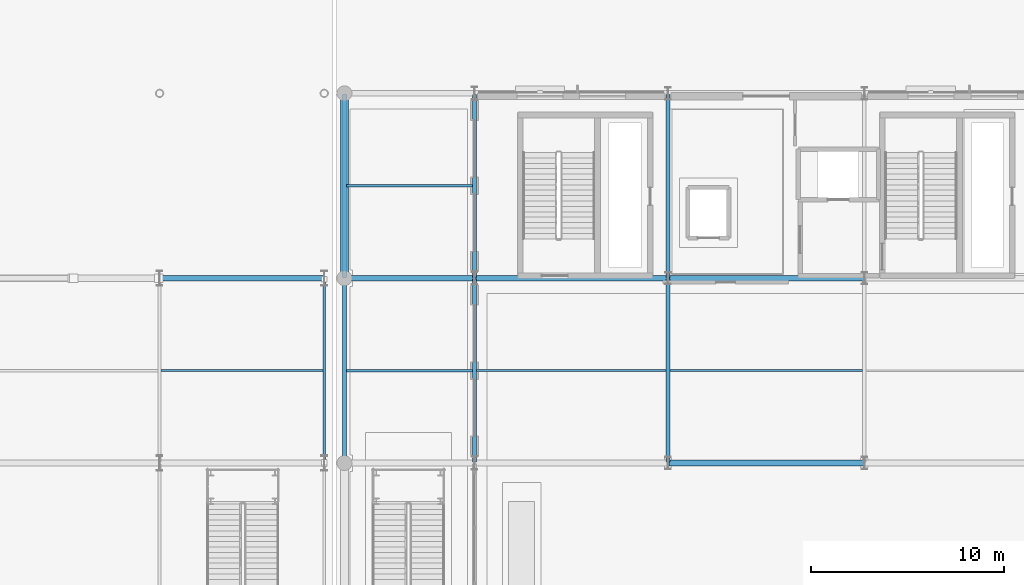
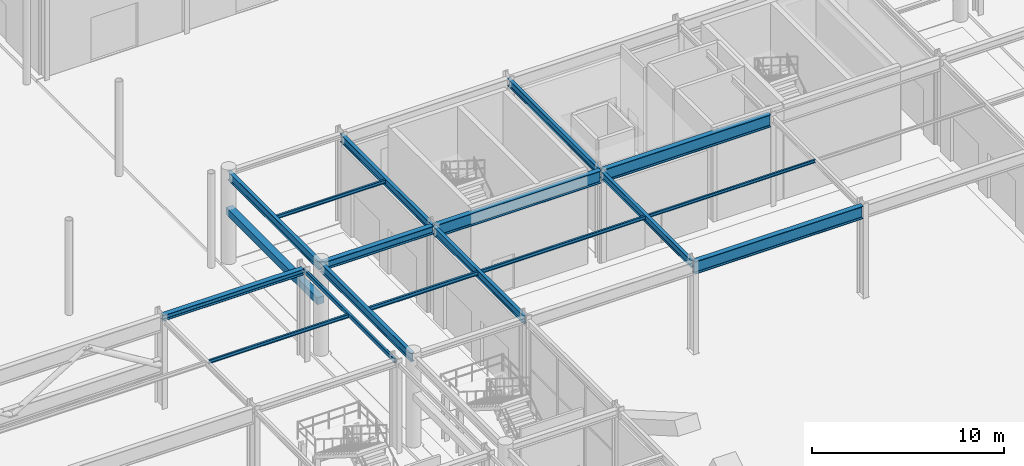
# One storey, part 41 of 113: 18 beams.
"""IFC4 building model written with IfcOpenShell, lengths in metres."""

import ifcopenshell
import ifcopenshell.guid

model = None  # the IFC model being written
_history = None  # IfcOwnerHistory: only IFC2X3 demands one
_inside = {}  # id of a spatial element -> (the spatial element, [elements in it])
_under = {}  # id of a project, library or spatial element -> (it, [spatial elements below it])
_declared = {}  # id of a project -> (the project, [libraries it declares])
_typed = {}  # id of a type object -> (the type object, [elements of that type])
_made_of = {}  # id of a material, layer set ... -> (it, [elements and type objects made of it])


def new_model(schema):
    """Start an empty IFC model of exactly this schema.

    Asked for "IFC4X3", IfcOpenShell would pick the latest addendum, in which some entities
    have other attributes; the version numbers below select the first issue.
    IFC2X3 requires an IfcOwnerHistory on every rooted entity: one is made here for all.
    """
    global model, _history
    if schema == "IFC4X3":
        model = ifcopenshell.file(schema_version=(4, 3, 0, 0))
    else:
        model = ifcopenshell.file(schema=schema)
    _inside.clear()
    _under.clear()
    _declared.clear()
    _typed.clear()
    _made_of.clear()
    _history = None
    if model.schema == "IFC2X3":
        org = make("IfcOrganization", Name="unknown")
        user = make(
            "IfcPersonAndOrganization",
            ThePerson=make("IfcPerson", FamilyName="unknown"),
            TheOrganization=org,
        )
        app = make(
            "IfcApplication",
            ApplicationDeveloper=org,
            Version="unknown",
            ApplicationFullName="unknown",
            ApplicationIdentifier="unknown",
        )
        _history = make(
            "IfcOwnerHistory",
            OwningUser=user,
            OwningApplication=app,
            ChangeAction="ADDED",
            CreationDate=0,
        )
    return model


def make(cls, **values):
    """One entity of the class cls with the attributes given. An attribute that is None is left unset."""
    return model.create_entity(
        cls, **{name: value for name, value in values.items() if value is not None}
    )


def rooted(cls, **values):
    """An entity with a GlobalId (a new one), such as an element, a storey or a relation."""
    return make(cls, GlobalId=ifcopenshell.guid.new(), OwnerHistory=_history, **values)


def si_unit(unit_type, name, prefix=None):
    """IfcSIUnit, for example si_unit("LENGTHUNIT", "METRE", prefix="MILLI")."""
    return make("IfcSIUnit", UnitType=unit_type, Prefix=prefix, Name=name)


def assignment(units):
    """IfcUnitAssignment: the units of a project."""
    return None if units is None else make("IfcUnitAssignment", Units=units)


def point(xyz):
    """IfcCartesianPoint."""
    return None if xyz is None else make("IfcCartesianPoint", Coordinates=xyz)


def direction(xyz):
    """IfcDirection."""
    return None if xyz is None else make("IfcDirection", DirectionRatios=xyz)


def frame(location, z_axis=None, x_axis=None):
    """IfcAxis2Placement3D, a coordinate frame: its origin and axes. An axis left out is left unset."""
    return make(
        "IfcAxis2Placement3D",
        Location=point(location),
        Axis=direction(z_axis),
        RefDirection=direction(x_axis),
    )


def frame_2d(location, x_axis=None):
    """IfcAxis2Placement2D, a coordinate frame in the plane: its origin and x axis."""
    return make(
        "IfcAxis2Placement2D", Location=point(location), RefDirection=direction(x_axis)
    )


def origin():
    """The frame at (0, 0, 0) with its axes left unset."""
    return frame((0.0, 0.0, 0.0))


def origin_2d():
    """The frame at (0, 0) in the plane with its x axis left unset."""
    return frame_2d((0.0, 0.0))


def place(relative_to, where):
    """IfcLocalPlacement: puts the frame where relative to a parent placement (None: the world)."""
    return make(
        "IfcLocalPlacement", PlacementRelTo=relative_to, RelativePlacement=where
    )


def context(
    kind, dimensions, precision=None, world=None, true_north=None, identifier=None
):
    """IfcGeometricRepresentationContext, for example the 3D "Model" context."""
    return make(
        "IfcGeometricRepresentationContext",
        ContextIdentifier=identifier,
        ContextType=kind,
        CoordinateSpaceDimension=dimensions,
        Precision=precision,
        WorldCoordinateSystem=world,
        TrueNorth=true_north,
    )


def subcontext(parent, identifier, kind, view, scale=None):
    """IfcGeometricRepresentationSubContext, for example "Body" below "Model"."""
    return make(
        "IfcGeometricRepresentationSubContext",
        ContextIdentifier=identifier,
        ContextType=kind,
        ParentContext=parent,
        TargetScale=scale,
        TargetView=view,
    )


def project(units=None, contexts=None):
    """IfcProject with its units and contexts."""
    return rooted(
        "IfcProject",
        Name="project",
        RepresentationContexts=contexts,
        UnitsInContext=assignment(units),
    )


def spatial(cls, under=None, at=None, **own):
    """A site, building, storey or space (cls), placed at a placement, below another one or the project."""
    s = rooted(cls, ObjectPlacement=at, **own)
    if under is not None:
        _under.setdefault(under.id(), (under, []))[1].append(s)
    return s


def profile(cls, at=None, kind="AREA", **sizes):
    """A parametric profile (cls). Its sizes go by their IFC names, for example OverallWidth=200.0."""
    return make(cls, ProfileType=kind, Position=at, **sizes)


def rectangle(**sizes):
    """IfcRectangleProfileDef."""
    return profile("IfcRectangleProfileDef", **sizes)


def hollow_rectangle(**sizes):
    """IfcRectangleHollowProfileDef."""
    return profile("IfcRectangleHollowProfileDef", **sizes)


def i_section(**sizes):
    """IfcIShapeProfileDef."""
    return profile("IfcIShapeProfileDef", **sizes)


def extrude(swept, where, along, depth):
    """IfcExtrudedAreaSolid: the profile swept, set in the frame where, extruded along a direction by depth."""
    return make(
        "IfcExtrudedAreaSolid",
        SweptArea=swept,
        Position=where,
        ExtrudedDirection=direction(along),
        Depth=depth,
    )


def shape(context_of_items, identifier, shape_type, items):
    """IfcShapeRepresentation: the items that make up one representation, for example the "Body"."""
    return make(
        "IfcShapeRepresentation",
        ContextOfItems=context_of_items,
        RepresentationIdentifier=identifier,
        RepresentationType=shape_type,
        Items=items,
    )


def material(Name=None, Category=None):
    """IfcMaterial."""
    return make("IfcMaterial", Name=Name, Category=Category)


def material_profile(
    of_material, cross_section, Name=None, Category=None, Priority=None
):
    """IfcMaterialProfile: a cross section and its material."""
    return make(
        "IfcMaterialProfile",
        Name=Name,
        Material=of_material,
        Profile=cross_section,
        Priority=Priority,
        Category=Category,
    )


def profile_set(profiles, Name=None, composite=None):
    """IfcMaterialProfileSet."""
    return make(
        "IfcMaterialProfileSet",
        Name=Name,
        MaterialProfiles=profiles,
        CompositeProfile=composite,
    )


def made_of(thing, what):
    """Note that an element or type object is made of a material, layer set ...; save() writes the relation."""
    if what is not None:
        _made_of.setdefault(what.id(), (what, []))[1].append(thing)
    return thing


def type_object(cls, material=None, **own):
    """A type object (cls), such as IfcWallType, which elements share."""
    return made_of(rooted(cls, **own), material)


def element(
    cls,
    number,
    at=None,
    inside=None,
    cuts=None,
    type_object=None,
    material=None,
    context=None,
    identifier="Body",
    shape_type=None,
    held_by="IfcProductDefinitionShape",
    body=None,
    shapes=None,
    **own,
):
    """One element of the class cls, such as IfcWall. Its Tag is "e" and its number.

    at: its placement. inside: the storey or other place that contains it. cuts: it is an
    opening in that element (IfcRelVoidsElement). A single representation is given by context,
    identifier, shape_type and body (its items); several are given by shapes. held_by: the class
    of the entity that holds the representations. save() writes the other relations.
    """
    e = rooted(cls, Tag="e%d" % number, ObjectPlacement=at, **own)
    if body is not None:
        shapes = [shape(context, identifier, shape_type, body)]
    if shapes is not None:
        e.Representation = make(held_by, Representations=shapes)
    if inside is not None:
        _inside.setdefault(inside.id(), (inside, []))[1].append(e)
    if cuts is not None:
        rooted(
            "IfcRelVoidsElement", RelatingBuildingElement=cuts, RelatedOpeningElement=e
        )
    if type_object is not None:
        _typed.setdefault(type_object.id(), (type_object, []))[1].append(e)
    return made_of(e, material)


def aggregate(whole, parts):
    """IfcRelAggregates: a whole, such as a stair, and the parts it consists of."""
    return rooted("IfcRelAggregates", RelatingObject=whole, RelatedObjects=parts)


def save(model, path):
    """Write the relations noted so far, then the file.

    IfcRelAggregates (storeys below a building ...), IfcRelContainedInSpatialStructure (elements
    in a storey), IfcRelDefinesByType, IfcRelAssociatesMaterial and IfcRelDeclares: one each for
    every whole, place, type object, material and project.
    """
    for whole, parts in _under.values():
        aggregate(whole, parts)
    for where, things in _inside.values():
        rooted(
            "IfcRelContainedInSpatialStructure",
            RelatedElements=things,
            RelatingStructure=where,
        )
    for kind, things in _typed.values():
        rooted("IfcRelDefinesByType", RelatedObjects=things, RelatingType=kind)
    for what, things in _made_of.values():
        rooted("IfcRelAssociatesMaterial", RelatedObjects=things, RelatingMaterial=what)
    for by, libraries in _declared.values():
        rooted("IfcRelDeclares", RelatingContext=by, RelatedDefinitions=libraries)
    model.write(path)


model = new_model("IFC4")

# Units and contexts
model_context = context("Model", 3, precision=1e-05, world=origin(), true_north=direction((0.0, 1.0)))
body_context = subcontext(model_context, "Body", "Model", "MODEL_VIEW")
ifc_project = project(units=[si_unit("LENGTHUNIT", "METRE"), si_unit("AREAUNIT", "SQUARE_METRE"), si_unit("VOLUMEUNIT", "CUBIC_METRE"), si_unit("PLANEANGLEUNIT", "RADIAN"), si_unit("MASSUNIT", "GRAM", prefix="KILO")], contexts=[model_context])

# Site, building, storey
site_placement = place(None, origin())
site = spatial("IfcSite", under=ifc_project, at=site_placement, CompositionType="ELEMENT")
building_placement = place(site_placement, origin())
building = spatial("IfcBuilding", under=site, at=building_placement, Name="Myrtia Square Station", CompositionType="ELEMENT")
storey_placement = place(building_placement, origin())
storey = spatial("IfcBuildingStorey", under=building, at=storey_placement, Name="L00", CompositionType="ELEMENT", Elevation=0.0)

# Beams
ifc_material_1 = material(Name="Steel S355", Category="steel")
ifc_material_profile_1 = material_profile(ifc_material_1, i_section(OverallWidth=0.300048828125, OverallDepth=0.360107421875, WebThickness=0.012451171875, FlangeThickness=0.0224609375, FilletRadius=0.027099609375, at=origin_2d()), Name="HEB 360")
ifc_profile_set_1 = profile_set([ifc_material_profile_1], Name="Steel S355")
beam_type_1 = type_object("IfcBeamType", Name="BM-HEB360", PredefinedType="BEAM", material=ifc_profile_set_1)
beam_1_placement = place(storey_placement, frame((63.050048828125, 86.39990234375, 5.56005859375), z_axis=(1.0, 0.0, 0.0), x_axis=(0.0, 1.0, 0.0)))
element("IfcBeam", 1, at=beam_1_placement, inside=storey, type_object=beam_type_1, Name="Structural girder BMX-L00-0256", PredefinedType="BEAM", context=body_context, shape_type="SweptSolid", body=[
    extrude(i_section(OverallWidth=0.300048828125, OverallDepth=0.360107421875, WebThickness=0.012451171875, FlangeThickness=0.0224609375, FilletRadius=0.027099609375, at=origin_2d()), origin(), (0.0, 0.0, 1.0), 8.449951171875),
])
ifc_material_profile_2 = material_profile(ifc_material_1, i_section(OverallWidth=0.300048828125, OverallDepth=0.5, WebThickness=0.014404296875, FlangeThickness=0.028076171875, FilletRadius=0.027099609375, at=origin_2d()), Name="HEB 500")
ifc_profile_set_2 = profile_set([ifc_material_profile_2], Name="Steel S355")
beam_type_2 = type_object("IfcBeamType", Name="BM-HEB500", PredefinedType="BEAM", material=ifc_profile_set_2)
beam_2_placement = place(storey_placement, frame((72.64990234375, 86.39990234375, 5.489990234375), z_axis=(1.0, 0.0, 0.0), x_axis=(0.0, 1.0, 0.0)))
element("IfcBeam", 2, at=beam_2_placement, inside=storey, type_object=beam_type_2, Name="Structural girder BMX-L00-0287", PredefinedType="BEAM", context=body_context, shape_type="SweptSolid", body=[
    extrude(i_section(OverallWidth=0.300048828125, OverallDepth=0.5, WebThickness=0.014404296875, FlangeThickness=0.028076171875, FilletRadius=0.027099609375, at=origin_2d()), origin(), (0.0, 0.0, 1.0), 6.650146484375),
])
ifc_material_profile_3 = material_profile(ifc_material_1, i_section(OverallWidth=0.18994140625, OverallDepth=0.449951171875, WebThickness=0.009521484375, FlangeThickness=0.0146484375, FilletRadius=0.02099609375, at=origin_2d()), Name="IPE 450")
ifc_profile_set_3 = profile_set([ifc_material_profile_3], Name="Steel S355")
beam_type_3 = type_object("IfcBeamType", Name="BM-IPE450", PredefinedType="BEAM", material=ifc_profile_set_3)
for number, where, z_axis, x_axis, name in (
    (3, (89.39990234375, 76.85009765625, 5.514892578125), (0.0, 1.0, 0.0), (-1.0, 0.0, 0.0), "Structural girder BMY-L00-0305"),
    (4, (89.39990234375, 86.449951171875, 5.514892578125), (0.0, 1.0, 0.0), (-1.0, 0.0, 0.0), "Structural girder BMY-L00-0306"),
):
    element("IfcBeam", number, at=place(storey_placement, frame(where, z_axis=z_axis, x_axis=x_axis)), inside=storey, type_object=beam_type_3, Name=name, PredefinedType="BEAM", context=body_context, shape_type="SweptSolid", body=[
        extrude(i_section(OverallWidth=0.18994140625, OverallDepth=0.449951171875, WebThickness=0.009521484375, FlangeThickness=0.0146484375, FilletRadius=0.02099609375, at=origin_2d()), origin(), (0.0, 0.0, 1.0), 9.5),
    ])
ifc_material_profile_4 = material_profile(ifc_material_1, i_section(OverallWidth=0.199951171875, OverallDepth=0.5, WebThickness=0.01025390625, FlangeThickness=0.01611328125, FilletRadius=0.02099609375, at=origin_2d()), Name="IPE 500")
ifc_profile_set_4 = profile_set([ifc_material_profile_4], Name="Steel S355")
beam_type_4 = type_object("IfcBeamType", Name="BM-IPE500", PredefinedType="BEAM", material=ifc_profile_set_4)
for number, where, z_axis, x_axis, name in (
    (5, (79.35009765625, 76.85009765625, 5.489990234375), (0.0, 1.0, 0.0), (-1.0, 0.0, 0.0), "Structural girder BMY-L00-0301"),
    (6, (79.35009765625, 86.449951171875, 5.489990234375), (0.0, 1.0, 0.0), (-1.0, 0.0, 0.0), "Structural girder BMY-L00-0302"),
):
    element("IfcBeam", number, at=place(storey_placement, frame(where, z_axis=z_axis, x_axis=x_axis)), inside=storey, type_object=beam_type_4, Name=name, PredefinedType="BEAM", context=body_context, shape_type="SweptSolid", body=[
        extrude(i_section(OverallWidth=0.199951171875, OverallDepth=0.5, WebThickness=0.01025390625, FlangeThickness=0.01611328125, FilletRadius=0.02099609375, at=origin_2d()), origin(), (0.0, 0.0, 1.0), 9.5),
    ])
ifc_material_profile_5 = material_profile(ifc_material_1, i_section(OverallWidth=0.2099609375, OverallDepth=0.550048828125, WebThickness=0.010986328125, FlangeThickness=0.01708984375, FilletRadius=0.02392578125, at=origin_2d()), Name="IPE 550")
ifc_profile_set_5 = profile_set([ifc_material_profile_5], Name="Steel S355")
beam_type_5 = type_object("IfcBeamType", Name="BM-IPE550", PredefinedType="BEAM", material=ifc_profile_set_5)
for number, where, z_axis, x_axis, name in (
    (7, (72.60009765625, 76.85009765625, 5.465087890625), (0.0, 1.0, 0.0), (-1.0, 0.0, 0.0), "Structural girder BMY-L00-0294"),
    (8, (72.60009765625, 86.449951171875, 5.465087890625), (0.0, 1.0, 0.0), (-1.0, 0.0, 0.0), "Structural girder BMY-L00-0295"),
):
    element("IfcBeam", number, at=place(storey_placement, frame(where, z_axis=z_axis, x_axis=x_axis)), inside=storey, type_object=beam_type_5, Name=name, PredefinedType="BEAM", context=body_context, shape_type="SweptSolid", body=[
        extrude(i_section(OverallWidth=0.2099609375, OverallDepth=0.550048828125, WebThickness=0.010986328125, FlangeThickness=0.01708984375, FilletRadius=0.02392578125, at=origin_2d()), origin(), (0.0, 0.0, 1.0), 9.5),
    ])
ifc_material_profile_6 = material_profile(ifc_material_1, i_section(OverallWidth=0.10009765625, OverallDepth=0.199951171875, WebThickness=0.005615234375, FlangeThickness=0.008544921875, FilletRadius=0.011962890625, at=origin_2d()), Name="IPE 200")
ifc_profile_set_6 = profile_set([ifc_material_profile_6], Name="Steel S355")
beam_type_6 = type_object("IfcBeamType", Name="JST-IPE200", PredefinedType="JOIST", material=ifc_profile_set_6)
beam_3_placement = place(storey_placement, frame((89.4951171875, 81.60009765625, 5.639892578125), z_axis=(1.0, 0.0, 0.0), x_axis=(0.0, 1.0, 0.0)))
element("IfcBeam", 9, at=beam_3_placement, inside=storey, type_object=beam_type_6, Name="Composite floor joist L00-0019", PredefinedType="JOIST", context=body_context, shape_type="SweptSolid", body=[
    extrude(i_section(OverallWidth=0.10009765625, OverallDepth=0.199951171875, WebThickness=0.005615234375, FlangeThickness=0.008544921875, FilletRadius=0.011962890625, at=origin_2d()), origin(), (0.0, 0.0, 1.0), 10.014892578125),
])
ifc_material_profile_7 = material_profile(ifc_material_1, i_section(OverallWidth=0.110107421875, OverallDepth=0.219970703125, WebThickness=0.005859375, FlangeThickness=0.00927734375, FilletRadius=0.011962890625, at=origin_2d()), Name="IPE 220")
ifc_profile_set_7 = profile_set([ifc_material_profile_7], Name="Steel S355")
beam_type_7 = type_object("IfcBeamType", Name="JST-IPE220", PredefinedType="JOIST", material=ifc_profile_set_7)
beam_4_placement = place(storey_placement, frame((63.0849609375, 81.60009765625, 5.6298828125), z_axis=(1.0, 0.0, 0.0), x_axis=(0.0, 1.0, 0.0)))
element("IfcBeam", 10, at=beam_4_placement, inside=storey, type_object=beam_type_7, Name="Composite floor joist L00-0009", PredefinedType="JOIST", context=body_context, shape_type="SweptSolid", body=[
    extrude(i_section(OverallWidth=0.110107421875, OverallDepth=0.219970703125, WebThickness=0.005859375, FlangeThickness=0.00927734375, FilletRadius=0.011962890625, at=origin_2d()), origin(), (0.0, 0.0, 1.0), 8.39013671875),
])
beam_5_placement = place(storey_placement, frame((72.705078125, 91.199951171875, 5.6298828125), z_axis=(1.0, 0.0, 0.0), x_axis=(0.0, 1.0, 0.0)))
element("IfcBeam", 11, at=beam_5_placement, inside=storey, type_object=beam_type_7, Name="Composite floor joist L00-0015", PredefinedType="JOIST", context=body_context, shape_type="SweptSolid", body=[
    extrude(i_section(OverallWidth=0.110107421875, OverallDepth=0.219970703125, WebThickness=0.005859375, FlangeThickness=0.00927734375, FilletRadius=0.011962890625, at=origin_2d()), origin(), (0.0, 0.0, 1.0), 6.544921875),
])
beam_6_placement = place(storey_placement, frame((79.449951171875, 81.60009765625, 5.6298828125), z_axis=(1.0, 0.0, 0.0), x_axis=(0.0, 1.0, 0.0)))
element("IfcBeam", 12, at=beam_6_placement, inside=storey, type_object=beam_type_7, Name="Composite floor joist L00-0017", PredefinedType="JOIST", context=body_context, shape_type="SweptSolid", body=[
    extrude(i_section(OverallWidth=0.110107421875, OverallDepth=0.219970703125, WebThickness=0.005859375, FlangeThickness=0.00927734375, FilletRadius=0.011962890625, at=origin_2d()), origin(), (0.0, 0.0, 1.0), 9.85498046875),
])
ifc_material_profile_8 = material_profile(ifc_material_1, i_section(OverallWidth=0.1201171875, OverallDepth=0.239990234375, WebThickness=0.006103515625, FlangeThickness=0.009765625, FilletRadius=0.014892578125, at=origin_2d()), Name="IPE 240")
ifc_profile_set_8 = profile_set([ifc_material_profile_8], Name="Steel S355")
beam_type_8 = type_object("IfcBeamType", Name="JST-IPE240", PredefinedType="JOIST", material=ifc_profile_set_8)
beam_7_placement = place(storey_placement, frame((72.705078125, 81.60009765625, 5.6201171875), z_axis=(1.0, 0.0, 0.0), x_axis=(0.0, 1.0, 0.0)))
element("IfcBeam", 13, at=beam_7_placement, inside=storey, type_object=beam_type_8, Name="Composite floor joist L00-0014", PredefinedType="JOIST", context=body_context, shape_type="SweptSolid", body=[
    extrude(i_section(OverallWidth=0.1201171875, OverallDepth=0.239990234375, WebThickness=0.006103515625, FlangeThickness=0.009765625, FilletRadius=0.014892578125, at=origin_2d()), origin(), (0.0, 0.0, 1.0), 6.544921875),
])
ifc_material_2 = material(Name="Concrete C35/45", Category="concrete")
ifc_material_profile_9 = material_profile(ifc_material_2, rectangle(XDim=0.39990234375, YDim=0.449951171875, at=origin_2d()), Name="LNT 400x450")
ifc_profile_set_9 = profile_set([ifc_material_profile_9], Name="Concrete C35/45")
beam_type_9 = type_object("IfcBeamType", Name="LNT-RC400x450", PredefinedType="LINTEL", material=ifc_profile_set_9)
beam_8_placement = place(storey_placement, frame((72.60009765625, 86.449951171875, 3.25), z_axis=(0.0, 1.0, 0.0), x_axis=(-1.0, 0.0, 0.0)))
element("IfcBeam", 14, at=beam_8_placement, inside=storey, type_object=beam_type_9, Name="Reinforced concrete opening lintel L00-04", PredefinedType="LINTEL", context=body_context, shape_type="SweptSolid", body=[
    extrude(rectangle(XDim=0.39990234375, YDim=0.449951171875, at=origin_2d()), origin(), (0.0, 0.0, 1.0), 9.5),
])
ifc_material_profile_10 = material_profile(ifc_material_1, hollow_rectangle(XDim=0.14990234375, YDim=0.25, WallThickness=0.012451171875, InnerFilletRadius=0.012451171875, OuterFilletRadius=0.02490234375, at=origin_2d()), Name="RHS 250x150x12.5")
ifc_profile_set_10 = profile_set([ifc_material_profile_10], Name="Steel S355")
beam_type_10 = type_object("IfcBeamType", Name="SPN-RHS250", PredefinedType="SPANDREL", material=ifc_profile_set_10)
beam_9_placement = place(storey_placement, frame((71.550048828125, 76.85009765625, 5.614990234375), z_axis=(0.0, 1.0, 0.0), x_axis=(-1.0, 0.0, 0.0)))
element("IfcBeam", 15, at=beam_9_placement, inside=storey, type_object=beam_type_10, Name="Structural girder SPNY-L00-0075", PredefinedType="SPANDREL", context=body_context, shape_type="SweptSolid", body=[
    extrude(hollow_rectangle(XDim=0.14990234375, YDim=0.25, WallThickness=0.012451171875, InnerFilletRadius=0.012451171875, OuterFilletRadius=0.02490234375, at=origin_2d()), origin(), (0.0, 0.0, 1.0), 9.5),
])
ifc_material_profile_11 = material_profile(ifc_material_1, i_section(OverallWidth=0.300048828125, OverallDepth=0.800048828125, WebThickness=0.017578125, FlangeThickness=0.032958984375, FilletRadius=0.030029296875, at=origin_2d()), Name="HEB 800")
ifc_profile_set_11 = profile_set([ifc_material_profile_11], Name="Steel S355")
beam_type_11 = type_object("IfcBeamType", Name="TG-HEB800", PredefinedType="USERDEFINED", material=ifc_profile_set_11)
beam_10_placement = place(storey_placement, frame((89.449951171875, 76.800048828125, 5.340087890625), z_axis=(1.0, 0.0, 0.0), x_axis=(0.0, 1.0, 0.0)))
element("IfcBeam", 16, at=beam_10_placement, inside=storey, type_object=beam_type_11, Name="Structural girder TG-L00-0090", ObjectType="TRANSFER GIRDER", PredefinedType="USERDEFINED", context=body_context, shape_type="SweptSolid", body=[
    extrude(i_section(OverallWidth=0.300048828125, OverallDepth=0.800048828125, WebThickness=0.017578125, FlangeThickness=0.032958984375, FilletRadius=0.030029296875, at=origin_2d()), origin(), (0.0, 0.0, 1.0), 10.10009765625),
])
beam_11_placement = place(storey_placement, frame((79.39990234375, 86.39990234375, 5.340087890625), z_axis=(1.0, 0.0, 0.0), x_axis=(0.0, 1.0, 0.0)))
element("IfcBeam", 17, at=beam_11_placement, inside=storey, type_object=beam_type_11, Name="Structural girder TG-L00-0092", ObjectType="TRANSFER GIRDER", PredefinedType="USERDEFINED", context=body_context, shape_type="SweptSolid", body=[
    extrude(i_section(OverallWidth=0.300048828125, OverallDepth=0.800048828125, WebThickness=0.017578125, FlangeThickness=0.032958984375, FilletRadius=0.030029296875, at=origin_2d()), origin(), (0.0, 0.0, 1.0), 9.9501953125),
])
beam_12_placement = place(storey_placement, frame((89.449951171875, 86.39990234375, 5.340087890625), z_axis=(1.0, 0.0, 0.0), x_axis=(0.0, 1.0, 0.0)))
element("IfcBeam", 18, at=beam_12_placement, inside=storey, type_object=beam_type_11, Name="Structural girder TG-L00-0093", ObjectType="TRANSFER GIRDER", PredefinedType="USERDEFINED", context=body_context, shape_type="SweptSolid", body=[
    extrude(i_section(OverallWidth=0.300048828125, OverallDepth=0.800048828125, WebThickness=0.017578125, FlangeThickness=0.032958984375, FilletRadius=0.030029296875, at=origin_2d()), origin(), (0.0, 0.0, 1.0), 10.10009765625),
])

save(model, "model.ifc")
